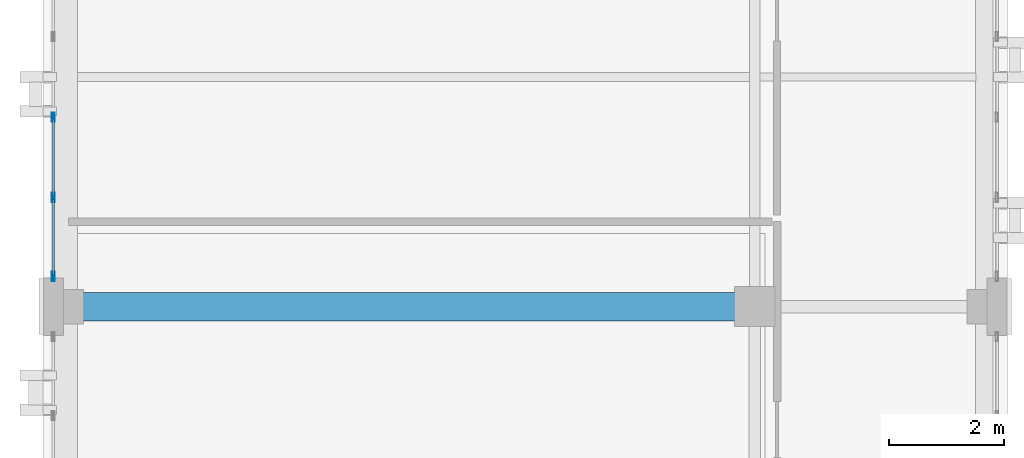
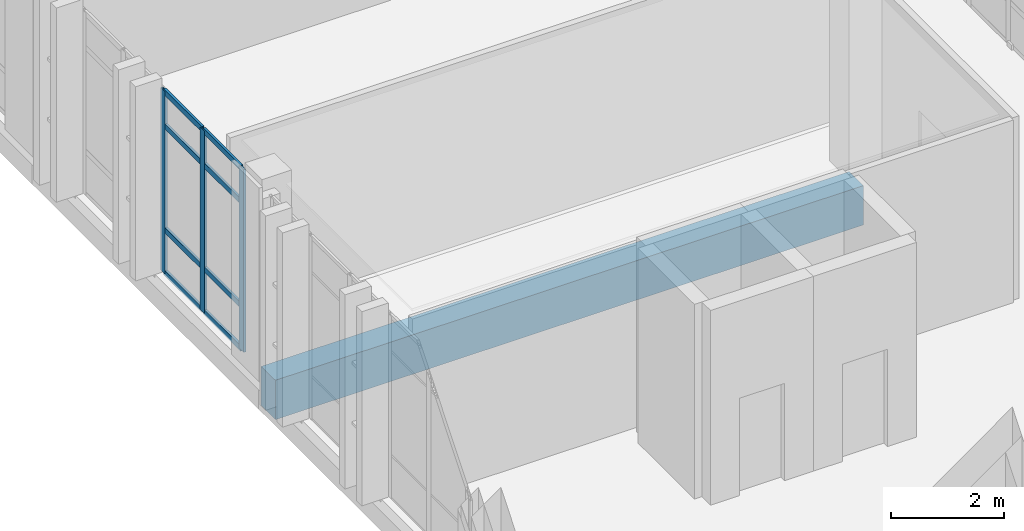
# One storey, part 9 of 48: 11 members, 1 beam, 1 element without a shape of its own.
"""IFC4 building model written with IfcOpenShell, lengths in metres."""

from ifc_helpers import new_model, si_unit, direction, frame, origin, origin_2d, place, context, subcontext, project, spatial, rectangle, hollow_rectangle, extrude, material, layer, layer_set, material_profile, profile_set, type_object, element, aggregate, save


model = new_model("IFC4")

# Units and contexts
model_context = context("Model", 3, precision=1e-05, world=origin(), true_north=direction((0.0, 1.0)))
body_context = subcontext(model_context, "Body", "Model", "MODEL_VIEW")
ifc_project = project(units=[si_unit("LENGTHUNIT", "METRE"), si_unit("AREAUNIT", "SQUARE_METRE"), si_unit("VOLUMEUNIT", "CUBIC_METRE"), si_unit("PLANEANGLEUNIT", "RADIAN"), si_unit("MASSUNIT", "GRAM", prefix="KILO")], contexts=[model_context])

# Site, building, storey
site_placement = place(None, origin())
site = spatial("IfcSite", under=ifc_project, at=site_placement, CompositionType="ELEMENT")
building_placement = place(site_placement, origin())
building = spatial("IfcBuilding", under=site, at=building_placement, Name="Qalavern Law Courts", CompositionType="ELEMENT")
storey_placement = place(building_placement, frame((0.0, 0.0, 31.199951171875)))
storey = spatial("IfcBuildingStorey", under=building, at=storey_placement, Name="L07", CompositionType="ELEMENT", Elevation=31.199951171875)

# Curtain wall, members
ifc_material_1 = material(Name="Anodised aluminium and insulated glazing", Category="aluminium")
ifc_layer = layer(ifc_material_1, 0.159912109375)
ifc_layer_set = layer_set([ifc_layer], Name="Anodised aluminium and insulated glazing")
curtain_wall_type = type_object("IfcCurtainWallType", Name="ENV-CW-CHAMB", PredefinedType="USERDEFINED", material=ifc_layer_set)
curtain_wall_placement = place(storey_placement, origin())
curtain_wall = element("IfcCurtainWall", 1, at=curtain_wall_placement, inside=storey, type_object=curtain_wall_type, Name="V3 unitised curtain wall L07 west 3", ObjectType="UNITISED CURTAIN WALL", PredefinedType="USERDEFINED")
ifc_material_2 = material(Name="Anodised aluminium", Category="aluminium")
ifc_material_profile_1 = material_profile(ifc_material_2, hollow_rectangle(XDim=0.048095703125, YDim=0.159912109375, WallThickness=0.00390625, at=origin_2d()), Name="ALU MULLION 48x160")
ifc_profile_set_1 = profile_set([ifc_material_profile_1], Name="Anodised aluminium")
member_type_1 = type_object("IfcMemberType", Name="ENV-CWM-48x160", PredefinedType="MULLION", material=ifc_profile_set_1)
member_1_placement = place(storey_placement, frame((2.177490234375, 60.699951171875, 0.0), z_axis=(0.0, 0.0, 1.0), x_axis=(1.0, 0.0, 0.0)))
member_1 = element("IfcMember", 2, at=member_1_placement, type_object=member_type_1, Name="CW-04 mullion 4", PredefinedType="MULLION", context=body_context, shape_type="SweptSolid", body=[
    extrude(hollow_rectangle(XDim=0.048095703125, YDim=0.159912109375, WallThickness=0.00390625, at=origin_2d()), origin(), (0.0, 0.0, 1.0), 3.93994140625),
])
member_2_placement = place(storey_placement, frame((2.177490234375, 59.300048828125, 0.0), z_axis=(0.0, 0.0, 1.0), x_axis=(1.0, 0.0, 0.0)))
member_2 = element("IfcMember", 3, at=member_2_placement, type_object=member_type_1, Name="CW-04 mullion 5", PredefinedType="MULLION", context=body_context, shape_type="SweptSolid", body=[
    extrude(hollow_rectangle(XDim=0.048095703125, YDim=0.159912109375, WallThickness=0.00390625, at=origin_2d()), origin(), (0.0, 0.0, 1.0), 3.93994140625),
])
member_3_placement = place(storey_placement, frame((2.177490234375, 57.924072265625, 0.0), z_axis=(0.0, 0.0, 1.0), x_axis=(1.0, 0.0, 0.0)))
member_3 = element("IfcMember", 4, at=member_3_placement, type_object=member_type_1, Name="CW-04 mullion 6", PredefinedType="MULLION", context=body_context, shape_type="SweptSolid", body=[
    extrude(hollow_rectangle(XDim=0.048095703125, YDim=0.159912109375, WallThickness=0.00390625, at=origin_2d()), origin(), (0.0, 0.0, 1.0), 3.93994140625),
])
ifc_material_profile_2 = material_profile(ifc_material_2, hollow_rectangle(XDim=0.048095703125, YDim=0.1201171875, WallThickness=0.00390625, at=origin_2d()), Name="ALU TRANSOM 48x120")
ifc_profile_set_2 = profile_set([ifc_material_profile_2], Name="Anodised aluminium")
member_type_2 = type_object("IfcMemberType", Name="ENV-CWT-48x120", PredefinedType="USERDEFINED", material=ifc_profile_set_2)
member_4_placement = place(storey_placement, frame((2.177490234375, 60.676025390625, 0.024169921875), z_axis=(0.0, -1.0, 0.0), x_axis=(1.0, 0.0, 0.0)))
member_4 = element("IfcMember", 5, at=member_4_placement, type_object=member_type_2, Name="CW-04 transom 4.1", ObjectType="TRANSOM", PredefinedType="USERDEFINED", context=body_context, shape_type="SweptSolid", body=[
    extrude(hollow_rectangle(XDim=0.048095703125, YDim=0.1201171875, WallThickness=0.00390625, at=origin_2d()), origin(), (0.0, 0.0, 1.0), 1.35205078125),
])
member_5_placement = place(storey_placement, frame((2.177490234375, 60.676025390625, 0.949951171875), z_axis=(0.0, -1.0, 0.0), x_axis=(1.0, 0.0, 0.0)))
member_5 = element("IfcMember", 6, at=member_5_placement, type_object=member_type_2, Name="CW-04 transom 4.2", ObjectType="TRANSOM", PredefinedType="USERDEFINED", context=body_context, shape_type="SweptSolid", body=[
    extrude(hollow_rectangle(XDim=0.048095703125, YDim=0.1201171875, WallThickness=0.00390625, at=origin_2d()), origin(), (0.0, 0.0, 1.0), 1.35205078125),
])
member_6_placement = place(storey_placement, frame((2.177490234375, 60.676025390625, 3.18994140625), z_axis=(0.0, -1.0, 0.0), x_axis=(1.0, 0.0, 0.0)))
member_6 = element("IfcMember", 7, at=member_6_placement, type_object=member_type_2, Name="CW-04 transom 4.3", ObjectType="TRANSOM", PredefinedType="USERDEFINED", context=body_context, shape_type="SweptSolid", body=[
    extrude(hollow_rectangle(XDim=0.048095703125, YDim=0.1201171875, WallThickness=0.00390625, at=origin_2d()), origin(), (0.0, 0.0, 1.0), 1.35205078125),
])
member_7_placement = place(storey_placement, frame((2.177490234375, 60.676025390625, 3.916015625), z_axis=(0.0, -1.0, 0.0), x_axis=(1.0, 0.0, 0.0)))
member_7 = element("IfcMember", 8, at=member_7_placement, type_object=member_type_2, Name="CW-04 transom 4.4", ObjectType="TRANSOM", PredefinedType="USERDEFINED", context=body_context, shape_type="SweptSolid", body=[
    extrude(hollow_rectangle(XDim=0.048095703125, YDim=0.1201171875, WallThickness=0.00390625, at=origin_2d()), origin(), (0.0, 0.0, 1.0), 1.35205078125),
])
member_8_placement = place(storey_placement, frame((2.177490234375, 59.27587890625, 0.024169921875), z_axis=(0.0, -1.0, 0.0), x_axis=(1.0, 0.0, 0.0)))
member_8 = element("IfcMember", 9, at=member_8_placement, type_object=member_type_2, Name="CW-04 transom 5.1", ObjectType="TRANSOM", PredefinedType="USERDEFINED", context=body_context, shape_type="SweptSolid", body=[
    extrude(hollow_rectangle(XDim=0.048095703125, YDim=0.1201171875, WallThickness=0.00390625, at=origin_2d()), origin(), (0.0, 0.0, 1.0), 1.327880859375),
])
member_9_placement = place(storey_placement, frame((2.177490234375, 59.27587890625, 0.949951171875), z_axis=(0.0, -1.0, 0.0), x_axis=(1.0, 0.0, 0.0)))
member_9 = element("IfcMember", 10, at=member_9_placement, type_object=member_type_2, Name="CW-04 transom 5.2", ObjectType="TRANSOM", PredefinedType="USERDEFINED", context=body_context, shape_type="SweptSolid", body=[
    extrude(hollow_rectangle(XDim=0.048095703125, YDim=0.1201171875, WallThickness=0.00390625, at=origin_2d()), origin(), (0.0, 0.0, 1.0), 1.327880859375),
])
member_10_placement = place(storey_placement, frame((2.177490234375, 59.27587890625, 3.18994140625), z_axis=(0.0, -1.0, 0.0), x_axis=(1.0, 0.0, 0.0)))
member_10 = element("IfcMember", 11, at=member_10_placement, type_object=member_type_2, Name="CW-04 transom 5.3", ObjectType="TRANSOM", PredefinedType="USERDEFINED", context=body_context, shape_type="SweptSolid", body=[
    extrude(hollow_rectangle(XDim=0.048095703125, YDim=0.1201171875, WallThickness=0.00390625, at=origin_2d()), origin(), (0.0, 0.0, 1.0), 1.327880859375),
])
member_11_placement = place(storey_placement, frame((2.177490234375, 59.27587890625, 3.916015625), z_axis=(0.0, -1.0, 0.0), x_axis=(1.0, 0.0, 0.0)))
member_11 = element("IfcMember", 12, at=member_11_placement, type_object=member_type_2, Name="CW-04 transom 5.4", ObjectType="TRANSOM", PredefinedType="USERDEFINED", context=body_context, shape_type="SweptSolid", body=[
    extrude(hollow_rectangle(XDim=0.048095703125, YDim=0.1201171875, WallThickness=0.00390625, at=origin_2d()), origin(), (0.0, 0.0, 1.0), 1.327880859375),
])
aggregate(curtain_wall, [member_1, member_2, member_3, member_4, member_5, member_6, member_7, member_8, member_9, member_10, member_11])

# Beam
ifc_material_3 = material(Name="Concrete C40/50", Category="concrete")
ifc_material_profile_3 = material_profile(ifc_material_3, rectangle(XDim=0.5, YDim=0.85009765625, at=origin_2d()), Name="RC 500x850")
ifc_profile_set_3 = profile_set([ifc_material_profile_3], Name="Concrete C40/50")
beam_type = type_object("IfcBeamType", Name="STR-BM-RC500x850", PredefinedType="BEAM", material=ifc_profile_set_3)
beam_placement = place(storey_placement, frame((2.39990234375, 57.39990234375, -0.68994140625), z_axis=(1.0, 0.0, 0.0), x_axis=(0.0, 1.0, 0.0)))
element("IfcBeam", 13, at=beam_placement, inside=storey, type_object=beam_type, Name="V3 X-beam 3-1 L07", PredefinedType="BEAM", context=body_context, shape_type="SweptSolid", body=[
    extrude(rectangle(XDim=0.5, YDim=0.85009765625, at=origin_2d()), origin(), (0.0, 0.0, 1.0), 12.0),
])

save(model, "model.ifc")
